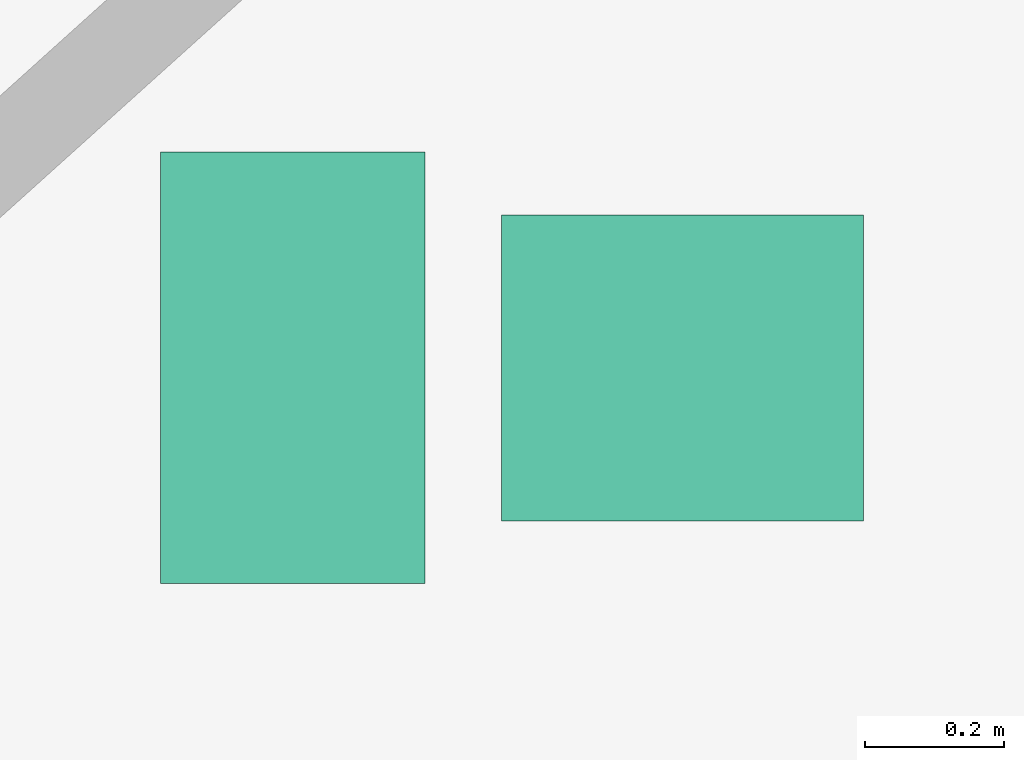
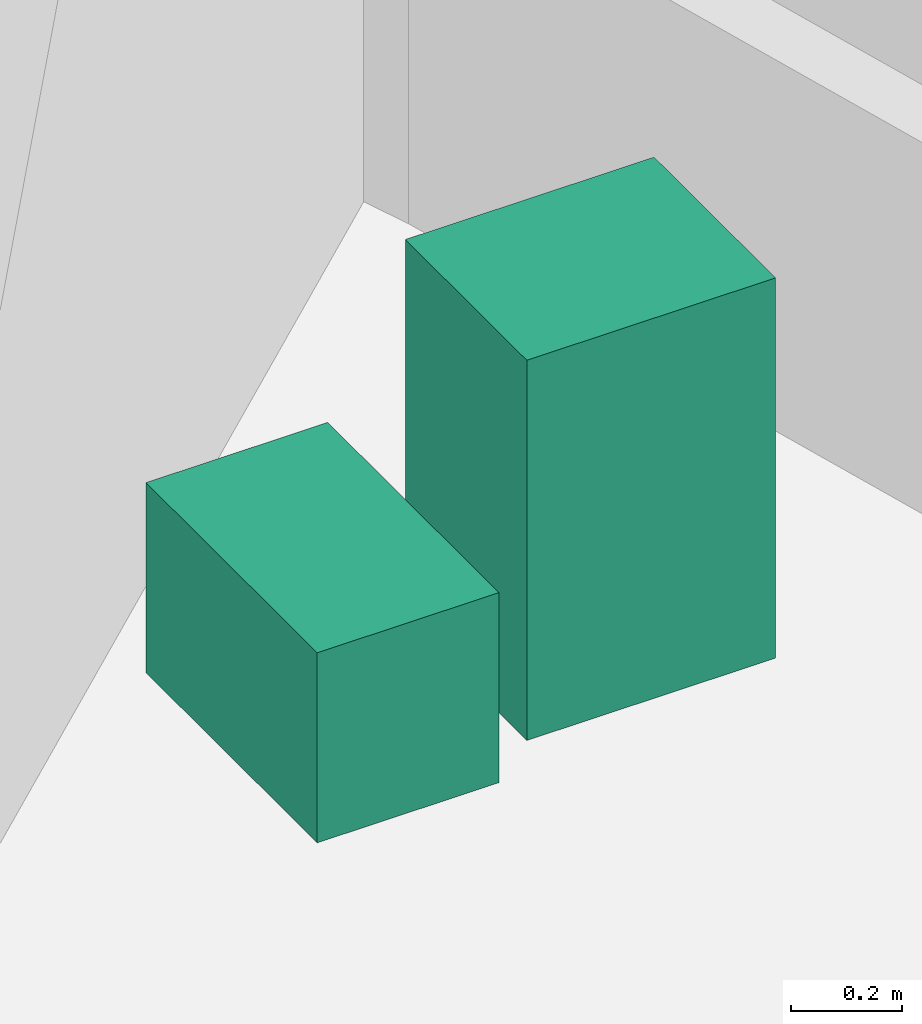
# One storey, part 12 of 12: 2 sanitary terminals.
"""IFC4 building model written with IfcOpenShell, lengths in metres."""

import ifcopenshell
import ifcopenshell.guid

model = None  # the IFC model being written
_history = None  # IfcOwnerHistory: only IFC2X3 demands one
_inside = {}  # id of a spatial element -> (the spatial element, [elements in it])
_under = {}  # id of a project, library or spatial element -> (it, [spatial elements below it])
_declared = {}  # id of a project -> (the project, [libraries it declares])
_typed = {}  # id of a type object -> (the type object, [elements of that type])
_made_of = {}  # id of a material, layer set ... -> (it, [elements and type objects made of it])


def new_model(schema):
    """Start an empty IFC model of exactly this schema.

    Asked for "IFC4X3", IfcOpenShell would pick the latest addendum, in which some entities
    have other attributes; the version numbers below select the first issue.
    IFC2X3 requires an IfcOwnerHistory on every rooted entity: one is made here for all.
    """
    global model, _history
    if schema == "IFC4X3":
        model = ifcopenshell.file(schema_version=(4, 3, 0, 0))
    else:
        model = ifcopenshell.file(schema=schema)
    _inside.clear()
    _under.clear()
    _declared.clear()
    _typed.clear()
    _made_of.clear()
    _history = None
    if model.schema == "IFC2X3":
        org = make("IfcOrganization", Name="unknown")
        user = make(
            "IfcPersonAndOrganization",
            ThePerson=make("IfcPerson", FamilyName="unknown"),
            TheOrganization=org,
        )
        app = make(
            "IfcApplication",
            ApplicationDeveloper=org,
            Version="unknown",
            ApplicationFullName="unknown",
            ApplicationIdentifier="unknown",
        )
        _history = make(
            "IfcOwnerHistory",
            OwningUser=user,
            OwningApplication=app,
            ChangeAction="ADDED",
            CreationDate=0,
        )
    return model


def make(cls, **values):
    """One entity of the class cls with the attributes given. An attribute that is None is left unset."""
    return model.create_entity(
        cls, **{name: value for name, value in values.items() if value is not None}
    )


def rooted(cls, **values):
    """An entity with a GlobalId (a new one), such as an element, a storey or a relation."""
    return make(cls, GlobalId=ifcopenshell.guid.new(), OwnerHistory=_history, **values)


def si_unit(unit_type, name, prefix=None):
    """IfcSIUnit, for example si_unit("LENGTHUNIT", "METRE", prefix="MILLI")."""
    return make("IfcSIUnit", UnitType=unit_type, Prefix=prefix, Name=name)


def assignment(units):
    """IfcUnitAssignment: the units of a project."""
    return None if units is None else make("IfcUnitAssignment", Units=units)


def point(xyz):
    """IfcCartesianPoint."""
    return None if xyz is None else make("IfcCartesianPoint", Coordinates=xyz)


def direction(xyz):
    """IfcDirection."""
    return None if xyz is None else make("IfcDirection", DirectionRatios=xyz)


def frame(location, z_axis=None, x_axis=None):
    """IfcAxis2Placement3D, a coordinate frame: its origin and axes. An axis left out is left unset."""
    return make(
        "IfcAxis2Placement3D",
        Location=point(location),
        Axis=direction(z_axis),
        RefDirection=direction(x_axis),
    )


def frame_2d(location, x_axis=None):
    """IfcAxis2Placement2D, a coordinate frame in the plane: its origin and x axis."""
    return make(
        "IfcAxis2Placement2D", Location=point(location), RefDirection=direction(x_axis)
    )


def origin():
    """The frame at (0, 0, 0) with its axes left unset."""
    return frame((0.0, 0.0, 0.0))


def origin_2d():
    """The frame at (0, 0) in the plane with its x axis left unset."""
    return frame_2d((0.0, 0.0))


def place(relative_to, where):
    """IfcLocalPlacement: puts the frame where relative to a parent placement (None: the world)."""
    return make(
        "IfcLocalPlacement", PlacementRelTo=relative_to, RelativePlacement=where
    )


def context(
    kind, dimensions, precision=None, world=None, true_north=None, identifier=None
):
    """IfcGeometricRepresentationContext, for example the 3D "Model" context."""
    return make(
        "IfcGeometricRepresentationContext",
        ContextIdentifier=identifier,
        ContextType=kind,
        CoordinateSpaceDimension=dimensions,
        Precision=precision,
        WorldCoordinateSystem=world,
        TrueNorth=true_north,
    )


def subcontext(parent, identifier, kind, view, scale=None):
    """IfcGeometricRepresentationSubContext, for example "Body" below "Model"."""
    return make(
        "IfcGeometricRepresentationSubContext",
        ContextIdentifier=identifier,
        ContextType=kind,
        ParentContext=parent,
        TargetScale=scale,
        TargetView=view,
    )


def project(units=None, contexts=None):
    """IfcProject with its units and contexts."""
    return rooted(
        "IfcProject",
        Name="project",
        RepresentationContexts=contexts,
        UnitsInContext=assignment(units),
    )


def spatial(cls, under=None, at=None, **own):
    """A site, building, storey or space (cls), placed at a placement, below another one or the project."""
    s = rooted(cls, ObjectPlacement=at, **own)
    if under is not None:
        _under.setdefault(under.id(), (under, []))[1].append(s)
    return s


def profile(cls, at=None, kind="AREA", **sizes):
    """A parametric profile (cls). Its sizes go by their IFC names, for example OverallWidth=200.0."""
    return make(cls, ProfileType=kind, Position=at, **sizes)


def rectangle(**sizes):
    """IfcRectangleProfileDef."""
    return profile("IfcRectangleProfileDef", **sizes)


def extrude(swept, where, along, depth):
    """IfcExtrudedAreaSolid: the profile swept, set in the frame where, extruded along a direction by depth."""
    return make(
        "IfcExtrudedAreaSolid",
        SweptArea=swept,
        Position=where,
        ExtrudedDirection=direction(along),
        Depth=depth,
    )


def shape(context_of_items, identifier, shape_type, items):
    """IfcShapeRepresentation: the items that make up one representation, for example the "Body"."""
    return make(
        "IfcShapeRepresentation",
        ContextOfItems=context_of_items,
        RepresentationIdentifier=identifier,
        RepresentationType=shape_type,
        Items=items,
    )


def source(mapping_origin, context_of_items, identifier, shape_type, items):
    """IfcRepresentationMap: a shape defined once, which mapped items show again and again."""
    return make(
        "IfcRepresentationMap",
        MappingOrigin=mapping_origin,
        MappedRepresentation=shape(context_of_items, identifier, shape_type, items),
    )


def transform(
    local_origin,
    x_axis=None,
    y_axis=None,
    z_axis=None,
    scale=None,
    scale2=None,
    scale3=None,
    uniform=True,
):
    """IfcCartesianTransformationOperator3D, or its non-uniform kind. x_axis, y_axis, z_axis: its Axis1, 2, 3."""
    if uniform:
        return make(
            "IfcCartesianTransformationOperator3D",
            Axis1=direction(x_axis),
            Axis2=direction(y_axis),
            LocalOrigin=point(local_origin),
            Scale=scale,
            Axis3=direction(z_axis),
        )
    return make(
        "IfcCartesianTransformationOperator3DnonUniform",
        Axis1=direction(x_axis),
        Axis2=direction(y_axis),
        LocalOrigin=point(local_origin),
        Scale=scale,
        Axis3=direction(z_axis),
        Scale2=scale2,
        Scale3=scale3,
    )


def mapped(mapping_source, mapping_target):
    """IfcMappedItem: shows the shape of a source again, moved by a transform."""
    return make(
        "IfcMappedItem", MappingSource=mapping_source, MappingTarget=mapping_target
    )


def material(Name=None, Category=None):
    """IfcMaterial."""
    return make("IfcMaterial", Name=Name, Category=Category)


def made_of(thing, what):
    """Note that an element or type object is made of a material, layer set ...; save() writes the relation."""
    if what is not None:
        _made_of.setdefault(what.id(), (what, []))[1].append(thing)
    return thing


def type_object(cls, material=None, **own):
    """A type object (cls), such as IfcWallType, which elements share."""
    return made_of(rooted(cls, **own), material)


def element(
    cls,
    number,
    at=None,
    inside=None,
    cuts=None,
    type_object=None,
    material=None,
    context=None,
    identifier="Body",
    shape_type=None,
    held_by="IfcProductDefinitionShape",
    body=None,
    shapes=None,
    **own,
):
    """One element of the class cls, such as IfcWall. Its Tag is "e" and its number.

    at: its placement. inside: the storey or other place that contains it. cuts: it is an
    opening in that element (IfcRelVoidsElement). A single representation is given by context,
    identifier, shape_type and body (its items); several are given by shapes. held_by: the class
    of the entity that holds the representations. save() writes the other relations.
    """
    e = rooted(cls, Tag="e%d" % number, ObjectPlacement=at, **own)
    if body is not None:
        shapes = [shape(context, identifier, shape_type, body)]
    if shapes is not None:
        e.Representation = make(held_by, Representations=shapes)
    if inside is not None:
        _inside.setdefault(inside.id(), (inside, []))[1].append(e)
    if cuts is not None:
        rooted(
            "IfcRelVoidsElement", RelatingBuildingElement=cuts, RelatedOpeningElement=e
        )
    if type_object is not None:
        _typed.setdefault(type_object.id(), (type_object, []))[1].append(e)
    return made_of(e, material)


def aggregate(whole, parts):
    """IfcRelAggregates: a whole, such as a stair, and the parts it consists of."""
    return rooted("IfcRelAggregates", RelatingObject=whole, RelatedObjects=parts)


def save(model, path):
    """Write the relations noted so far, then the file.

    IfcRelAggregates (storeys below a building ...), IfcRelContainedInSpatialStructure (elements
    in a storey), IfcRelDefinesByType, IfcRelAssociatesMaterial and IfcRelDeclares: one each for
    every whole, place, type object, material and project.
    """
    for whole, parts in _under.values():
        aggregate(whole, parts)
    for where, things in _inside.values():
        rooted(
            "IfcRelContainedInSpatialStructure",
            RelatedElements=things,
            RelatingStructure=where,
        )
    for kind, things in _typed.values():
        rooted("IfcRelDefinesByType", RelatedObjects=things, RelatingType=kind)
    for what, things in _made_of.values():
        rooted("IfcRelAssociatesMaterial", RelatedObjects=things, RelatingMaterial=what)
    for by, libraries in _declared.values():
        rooted("IfcRelDeclares", RelatingContext=by, RelatedDefinitions=libraries)
    model.write(path)


model = new_model("IFC4")

# Units and contexts
model_context = context("Model", 3, precision=1e-05, world=origin(), true_north=direction((0.0, 1.0)))
body_context = subcontext(model_context, "Body", "Model", "MODEL_VIEW")
ifc_project = project(units=[si_unit("LENGTHUNIT", "METRE"), si_unit("AREAUNIT", "SQUARE_METRE"), si_unit("VOLUMEUNIT", "CUBIC_METRE"), si_unit("PLANEANGLEUNIT", "RADIAN"), si_unit("MASSUNIT", "GRAM", prefix="KILO")], contexts=[model_context])

# Site, building, storey
site_placement = place(None, origin())
site = spatial("IfcSite", under=ifc_project, at=site_placement, CompositionType="ELEMENT")
building_placement = place(site_placement, origin())
building = spatial("IfcBuilding", under=site, at=building_placement, Name="Qafzar Sky-Pleat Residences", CompositionType="ELEMENT")
storey_placement = place(building_placement, frame((0.0, 0.0, 174.60009765625)))
storey = spatial("IfcBuildingStorey", under=building, at=storey_placement, Name="L52", CompositionType="ELEMENT", Elevation=174.60009765625)

# Sanitary terminals
ifc_material = material(Name="Vitreous china sanitaryware")
sanitary_terminal_type_1 = type_object("IfcSanitaryTerminalType", Name="SAN-WC-PAN", PredefinedType="TOILETPAN", material=ifc_material)
shared_shape_1 = source(origin(), body_context, "Body", "SweptSolid", [
    extrude(rectangle(XDim=0.3798828125, YDim=0.6201171875, at=origin_2d()), origin(), (0.0, 0.0, 1.0), 0.419921875),
])
sanitary_terminal_1_placement = place(storey_placement, frame((40.941650390625, 34.855224609375, 0.0), z_axis=(0.0, 0.0, 1.0), x_axis=(1.0, 0.0, 0.0)))
element("IfcSanitaryTerminal", 1, at=sanitary_terminal_1_placement, inside=storey, type_object=sanitary_terminal_type_1, Name="L52 Accessible Shared Washroom WC Pan", PredefinedType="TOILETPAN", context=body_context, shape_type="MappedRepresentation", body=[
    mapped(shared_shape_1, transform((0.0, 0.0, 0.0), x_axis=(1.0, 0.0, 0.0), y_axis=(0.0, 1.0, 0.0), z_axis=(0.0, 0.0, 1.0), scale=1.0)),
])
sanitary_terminal_type_2 = type_object("IfcSanitaryTerminalType", Name="SAN-BASIN", PredefinedType="WASHHANDBASIN", material=ifc_material)
shared_shape_2 = source(origin(), body_context, "Body", "SweptSolid", [
    extrude(rectangle(XDim=0.52001953125, YDim=0.43994140625, at=origin_2d()), origin(), (0.0, 0.0, 1.0), 0.840087890625),
])
sanitary_terminal_2_placement = place(storey_placement, frame((41.501708984375, 34.855224609375, 0.0), z_axis=(0.0, 0.0, 1.0), x_axis=(1.0, 0.0, 0.0)))
element("IfcSanitaryTerminal", 2, at=sanitary_terminal_2_placement, inside=storey, type_object=sanitary_terminal_type_2, Name="L52 Accessible Shared Washroom Pedestal Washbasin", PredefinedType="WASHHANDBASIN", context=body_context, shape_type="MappedRepresentation", body=[
    mapped(shared_shape_2, transform((0.0, 0.0, 0.0), x_axis=(1.0, 0.0, 0.0), y_axis=(0.0, 1.0, 0.0), z_axis=(0.0, 0.0, 1.0), scale=1.0)),
])

save(model, "model.ifc")
